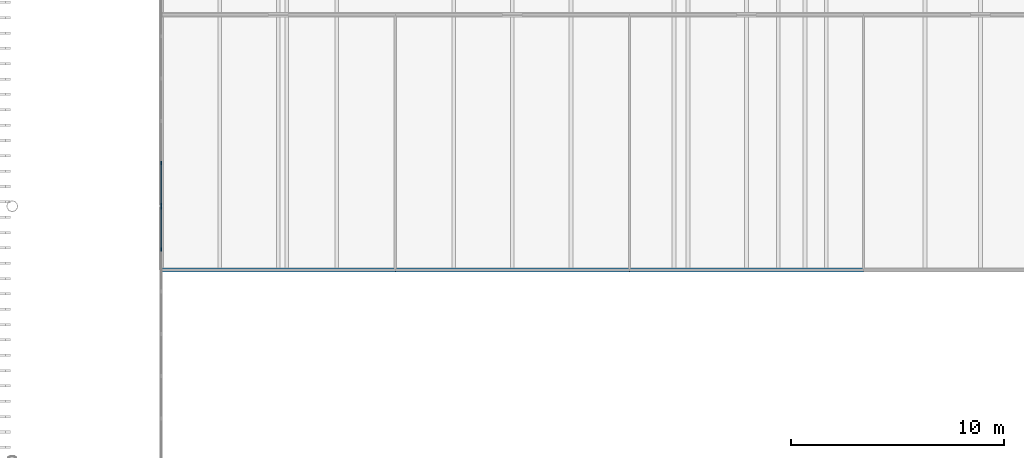
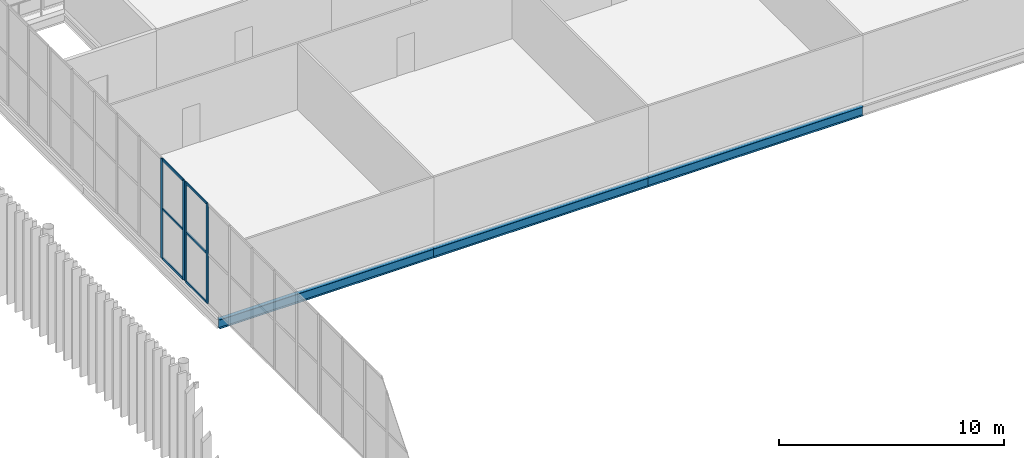
# One storey, part 63 of 170: 10 members, 3 beams, 2 elements without a shape of their own.
"""IFC4 building model written with IfcOpenShell, lengths in metres."""

from ifc_helpers import new_model, si_unit, direction, frame, origin, origin_2d, place, context, subcontext, project, spatial, rectangle, i_section, extrude, material, layer, layer_set, material_profile, profile_set, type_object, element, aggregate, save


model = new_model("IFC4")

# Units and contexts
model_context = context("Model", 3, precision=1e-05, world=origin(), true_north=direction((0.0, 1.0)))
body_context = subcontext(model_context, "Body", "Model", "MODEL_VIEW")
ifc_project = project(units=[si_unit("LENGTHUNIT", "METRE"), si_unit("AREAUNIT", "SQUARE_METRE"), si_unit("VOLUMEUNIT", "CUBIC_METRE"), si_unit("PLANEANGLEUNIT", "RADIAN"), si_unit("MASSUNIT", "GRAM", prefix="KILO")], contexts=[model_context])

# Site, building, storey
site_placement = place(None, origin())
site = spatial("IfcSite", under=ifc_project, at=site_placement, CompositionType="ELEMENT")
building_placement = place(site_placement, origin())
building = spatial("IfcBuilding", under=site, at=building_placement, Name="Ravi Spectrum Wholesale Market", CompositionType="ELEMENT")
storey_placement = place(building_placement, frame((0.0, 0.0, 5.39990234375)))
storey = spatial("IfcBuildingStorey", under=building, at=storey_placement, Name="L01", CompositionType="ELEMENT", Elevation=5.39990234375)

# Beams
ifc_material_1 = material(Name="Steel S355", Category="steel")
ifc_material_profile_1 = material_profile(ifc_material_1, i_section(OverallWidth=0.199951171875, OverallDepth=0.5, WebThickness=0.01025390625, FlangeThickness=0.01611328125, at=origin_2d()))
ifc_profile_set_1 = profile_set([ifc_material_profile_1], Name="Steel S355")
beam_type = type_object("IfcBeamType", Name="IPE 500 girder", PredefinedType="BEAM", material=ifc_profile_set_1)
for number, where, z_axis, x_axis, name in (
    (1, (37.0, 171.0, -0.5), (1.0, 0.0, 0.0), (0.0, 1.0, 0.0), "H1-BM-L01-001"),
    (2, (48.0, 171.0, -0.5), (1.0, 0.0, 0.0), (0.0, 1.0, 0.0), "H1-BM-L01-002"),
    (3, (59.0, 171.0, -0.5), (1.0, 0.0, 0.0), (0.0, 1.0, 0.0), "H1-BM-L01-003"),
):
    element("IfcBeam", number, at=place(storey_placement, frame(where, z_axis=z_axis, x_axis=x_axis)), inside=storey, type_object=beam_type, Name=name, PredefinedType="BEAM", context=body_context, shape_type="SweptSolid", body=[
        extrude(i_section(OverallWidth=0.199951171875, OverallDepth=0.5, WebThickness=0.01025390625, FlangeThickness=0.01611328125, at=origin_2d()), origin(), (0.0, 0.0, 1.0), 11.0),
    ])

# Curtain wall, members
ifc_material_2 = material(Name="Aluminium 6063-T6", Category="aluminium")
ifc_layer = layer(ifc_material_2, 0.14990234375)
ifc_layer_set = layer_set([ifc_layer], Name="Aluminium 6063-T6")
curtain_wall_type = type_object("IfcCurtainWallType", Name="Curtain wall 150", PredefinedType="NOTDEFINED", material=ifc_layer_set)
curtain_wall_1_placement = place(storey_placement, origin())
curtain_wall_1 = element("IfcCurtainWall", 4, at=curtain_wall_1_placement, inside=storey, type_object=curtain_wall_type, Name="H1-CW-L01-012", PredefinedType="NOTDEFINED")
ifc_material_3 = material(Name="Aluminium 6063-T6", Category="aluminium")
ifc_material_profile_2 = material_profile(ifc_material_3, rectangle(XDim=0.06005859375, YDim=0.159912109375, at=origin_2d()))
ifc_profile_set_2 = profile_set([ifc_material_profile_2], Name="Aluminium 6063-T6")
member_type_1 = type_object("IfcMemberType", Name="Mullion 60 x 160", PredefinedType="MULLION", material=ifc_profile_set_2)
member_1_placement = place(storey_placement, frame((37.0, 171.973388671875, 0.0), z_axis=(0.0, 0.0, 1.0), x_axis=(-1.0, 0.0, 0.0)))
member_1 = element("IfcMember", 5, at=member_1_placement, type_object=member_type_1, Name="H1-CW-L01-012 mullion 6", PredefinedType="MULLION", context=body_context, shape_type="SweptSolid", body=[
    extrude(rectangle(XDim=0.06005859375, YDim=0.159912109375, at=origin_2d()), origin(), (0.0, 0.0, 1.0), 5.400146484375),
])
member_2_placement = place(storey_placement, frame((37.0, 173.929931640625, 0.0), z_axis=(0.0, 0.0, 1.0), x_axis=(-1.0, 0.0, 0.0)))
member_2 = element("IfcMember", 6, at=member_2_placement, type_object=member_type_1, Name="H1-CW-L01-012 mullion 7", PredefinedType="MULLION", context=body_context, shape_type="SweptSolid", body=[
    extrude(rectangle(XDim=0.06005859375, YDim=0.159912109375, at=origin_2d()), origin(), (0.0, 0.0, 1.0), 5.400146484375),
])

curtain_wall_2_placement = place(storey_placement, origin())
curtain_wall_2 = element("IfcCurtainWall", 7, at=curtain_wall_2_placement, inside=storey, type_object=curtain_wall_type, Name="H1-CW-L01-013", PredefinedType="NOTDEFINED")
member_3_placement = place(storey_placement, frame((37.0, 174.070068359375, 0.0), z_axis=(0.0, 0.0, 1.0), x_axis=(-1.0, 0.0, 0.0)))
member_3 = element("IfcMember", 8, at=member_3_placement, type_object=member_type_1, Name="H1-CW-L01-013 mullion 1", PredefinedType="MULLION", context=body_context, shape_type="SweptSolid", body=[
    extrude(rectangle(XDim=0.06005859375, YDim=0.159912109375, at=origin_2d()), origin(), (0.0, 0.0, 1.0), 5.400146484375),
])
member_4_placement = place(storey_placement, frame((37.0, 176.026611328125, 0.0), z_axis=(0.0, 0.0, 1.0), x_axis=(-1.0, 0.0, 0.0)))
member_4 = element("IfcMember", 9, at=member_4_placement, type_object=member_type_1, Name="H1-CW-L01-013 mullion 2", PredefinedType="MULLION", context=body_context, shape_type="SweptSolid", body=[
    extrude(rectangle(XDim=0.06005859375, YDim=0.159912109375, at=origin_2d()), origin(), (0.0, 0.0, 1.0), 5.400146484375),
])

# Member
ifc_material_4 = material(Name="Aluminium 6063-T6", Category="aluminium")
ifc_material_profile_3 = material_profile(ifc_material_4, rectangle(XDim=0.06005859375, YDim=0.1201171875, at=origin_2d()))
ifc_profile_set_3 = profile_set([ifc_material_profile_3], Name="Aluminium 6063-T6")
member_type_2 = type_object("IfcMemberType", Name="Transom 60 x 120", PredefinedType="USERDEFINED", material=ifc_profile_set_3)
member_5_placement = place(storey_placement, frame((37.0, 172.00341796875, 0.030029296875), z_axis=(0.0, 1.0, 0.0), x_axis=(-1.0, 0.0, 0.0)))
member_5 = element("IfcMember", 10, at=member_5_placement, type_object=member_type_2, Name="H1-CW-L01-012 transom 6.1", ObjectType="TRANSOM", PredefinedType="USERDEFINED", context=body_context, shape_type="SweptSolid", body=[
    extrude(rectangle(XDim=0.06005859375, YDim=0.1201171875, at=origin_2d()), origin(), (0.0, 0.0, 1.0), 1.896484375),
])

member_6_placement = place(storey_placement, frame((37.0, 172.00341796875, 2.7001953125), z_axis=(0.0, 1.0, 0.0), x_axis=(-1.0, 0.0, 0.0)))
member_6 = element("IfcMember", 11, at=member_6_placement, type_object=member_type_2, Name="H1-CW-L01-012 transom 6.2", ObjectType="TRANSOM", PredefinedType="USERDEFINED", context=body_context, shape_type="SweptSolid", body=[
    extrude(rectangle(XDim=0.06005859375, YDim=0.1201171875, at=origin_2d()), origin(), (0.0, 0.0, 1.0), 1.896484375),
])

member_7_placement = place(storey_placement, frame((37.0, 172.00341796875, 5.3701171875), z_axis=(0.0, 1.0, 0.0), x_axis=(-1.0, 0.0, 0.0)))
member_7 = element("IfcMember", 12, at=member_7_placement, type_object=member_type_2, Name="H1-CW-L01-012 transom 6.3", ObjectType="TRANSOM", PredefinedType="USERDEFINED", context=body_context, shape_type="SweptSolid", body=[
    extrude(rectangle(XDim=0.06005859375, YDim=0.1201171875, at=origin_2d()), origin(), (0.0, 0.0, 1.0), 1.896484375),
])

aggregate(curtain_wall_1, [member_1, member_2, member_5, member_6, member_7])

member_8_placement = place(storey_placement, frame((37.0, 174.10009765625, 0.030029296875), z_axis=(0.0, 1.0, 0.0), x_axis=(-1.0, 0.0, 0.0)))
member_8 = element("IfcMember", 13, at=member_8_placement, type_object=member_type_2, Name="H1-CW-L01-013 transom 1.1", ObjectType="TRANSOM", PredefinedType="USERDEFINED", context=body_context, shape_type="SweptSolid", body=[
    extrude(rectangle(XDim=0.06005859375, YDim=0.1201171875, at=origin_2d()), origin(), (0.0, 0.0, 1.0), 1.896484375),
])

member_9_placement = place(storey_placement, frame((37.0, 174.10009765625, 2.7001953125), z_axis=(0.0, 1.0, 0.0), x_axis=(-1.0, 0.0, 0.0)))
member_9 = element("IfcMember", 14, at=member_9_placement, type_object=member_type_2, Name="H1-CW-L01-013 transom 1.2", ObjectType="TRANSOM", PredefinedType="USERDEFINED", context=body_context, shape_type="SweptSolid", body=[
    extrude(rectangle(XDim=0.06005859375, YDim=0.1201171875, at=origin_2d()), origin(), (0.0, 0.0, 1.0), 1.896484375),
])

member_10_placement = place(storey_placement, frame((37.0, 174.10009765625, 5.3701171875), z_axis=(0.0, 1.0, 0.0), x_axis=(-1.0, 0.0, 0.0)))
member_10 = element("IfcMember", 15, at=member_10_placement, type_object=member_type_2, Name="H1-CW-L01-013 transom 1.3", ObjectType="TRANSOM", PredefinedType="USERDEFINED", context=body_context, shape_type="SweptSolid", body=[
    extrude(rectangle(XDim=0.06005859375, YDim=0.1201171875, at=origin_2d()), origin(), (0.0, 0.0, 1.0), 1.896484375),
])

aggregate(curtain_wall_2, [member_3, member_4, member_8, member_9, member_10])

save(model, "model.ifc")
